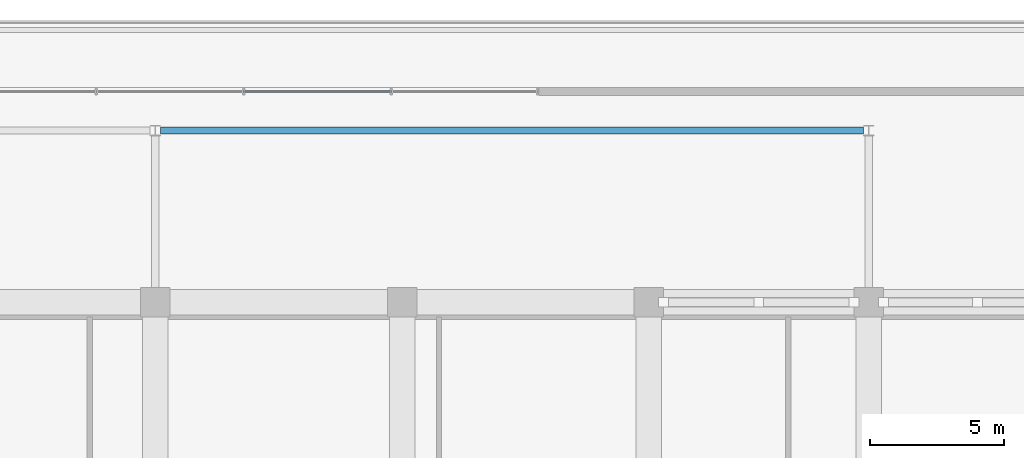
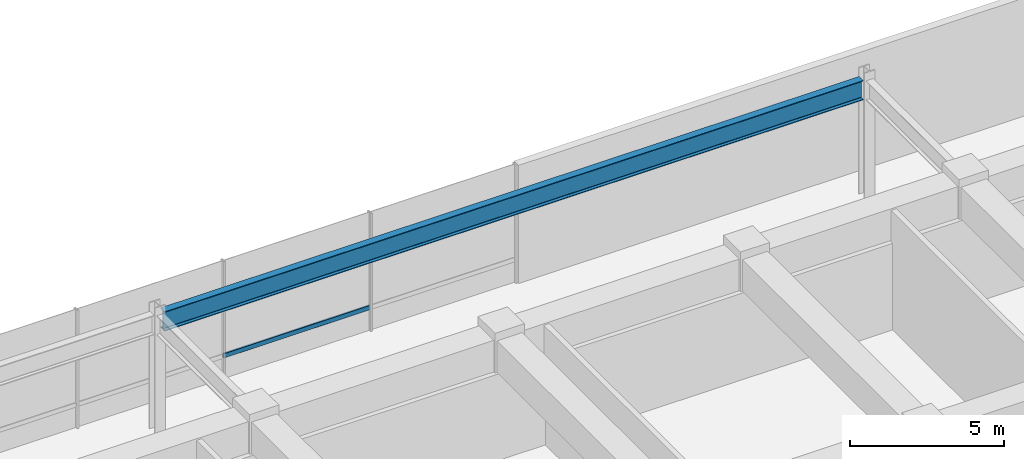
# One storey, part 15 of 38: 1 beam, 1 member, 1 element without a shape of its own.
"""IFC4 building model written with IfcOpenShell, lengths in metres."""

from ifc_helpers import new_model, si_unit, direction, frame, origin, origin_2d, place, context, subcontext, project, spatial, hollow_rectangle, i_section, extrude, material, layer, layer_set, material_profile, profile_set, type_object, element, aggregate, save


model = new_model("IFC4")

# Units and contexts
model_context = context("Model", 3, precision=1e-05, world=origin(), true_north=direction((0.0, 1.0)))
body_context = subcontext(model_context, "Body", "Model", "MODEL_VIEW")
ifc_project = project(units=[si_unit("LENGTHUNIT", "METRE"), si_unit("AREAUNIT", "SQUARE_METRE"), si_unit("VOLUMEUNIT", "CUBIC_METRE"), si_unit("PLANEANGLEUNIT", "RADIAN"), si_unit("MASSUNIT", "GRAM", prefix="KILO")], contexts=[model_context])

# Site, building, storey
site_placement = place(None, origin())
site = spatial("IfcSite", under=ifc_project, at=site_placement, CompositionType="ELEMENT")
building_placement = place(site_placement, origin())
building = spatial("IfcBuilding", under=site, at=building_placement, Name="Korimba Cascade Residences", CompositionType="ELEMENT")
storey_placement = place(building_placement, frame((0.0, 0.0, 19.0)))
storey = spatial("IfcBuildingStorey", under=building, at=storey_placement, Name="L04", CompositionType="ELEMENT", Elevation=19.0)

# Beam
ifc_material_1 = material(Name="Steel S355", Category="steel")
ifc_material_profile_1 = material_profile(ifc_material_1, i_section(OverallWidth=0.26806640625, OverallDepth=0.769775390625, WebThickness=0.015625, FlangeThickness=0.025390625, FilletRadius=0.0166015625, at=origin_2d()), Name="Steel S355")
ifc_profile_set_1 = profile_set([ifc_material_profile_1], Name="Steel S355")
beam_type = type_object("IfcBeamType", Name="BM-STL-UB762", PredefinedType="BEAM", material=ifc_profile_set_1)
beam_placement = place(storey_placement, frame((93.8994140625, 97.60009765625, 4.295166015625), z_axis=(1.0, 0.0, 0.0), x_axis=(0.0, 1.0, 0.0)))
element("IfcBeam", 1, at=beam_placement, inside=storey, type_object=beam_type, Name="L04 Podium Frame Girder NH2", PredefinedType="BEAM", context=body_context, shape_type="SweptSolid", body=[
    extrude(i_section(OverallWidth=0.26806640625, OverallDepth=0.769775390625, WebThickness=0.015625, FlangeThickness=0.025390625, FilletRadius=0.0166015625, at=origin_2d()), origin(), (0.0, 0.0, 1.0), 26.201171875),
])

# Curtain wall, member
ifc_material_2 = material(Name="Anodised Aluminium Curtain Wall Framing", Category="aluminium")
ifc_layer = layer(ifc_material_2, 0.179931640625)
ifc_layer_set = layer_set([ifc_layer], Name="Anodised Aluminium Curtain Wall Framing")
curtain_wall_type = type_object("IfcCurtainWallType", Name="CW-POD-SYS1", PredefinedType="NOTDEFINED", material=ifc_layer_set)
curtain_wall_placement = place(storey_placement, origin())
curtain_wall = element("IfcCurtainWall", 2, at=curtain_wall_placement, inside=storey, type_object=curtain_wall_type, Name="L04 Curtain Wall CW-L04-POD-N", PredefinedType="NOTDEFINED")
ifc_material_3 = material(Name="Anodised Aluminium Transom", Category="aluminium")
ifc_material_profile_2 = material_profile(ifc_material_3, hollow_rectangle(XDim=0.070068359375, YDim=0.179931640625, WallThickness=0.0048828125, InnerFilletRadius=0.0048828125, OuterFilletRadius=0.010009765625, at=origin_2d()), Name="Anodised Aluminium Transom")
ifc_profile_set_2 = profile_set([ifc_material_profile_2], Name="Anodised Aluminium Transom")
member_type = type_object("IfcMemberType", Name="CWM-TRN-150", PredefinedType="USERDEFINED", material=ifc_profile_set_2)
member_placement = place(storey_placement, frame((102.5, 99.050048828125, 0.89990234375), z_axis=(-1.0, 0.0, 0.0), x_axis=(0.0, -1.0, 0.0)))
member = element("IfcMember", 3, at=member_placement, type_object=member_type, Name="CW-L04-POD-N Transom 2", ObjectType="TRANSOM", PredefinedType="USERDEFINED", context=body_context, shape_type="SweptSolid", body=[
    extrude(hollow_rectangle(XDim=0.070068359375, YDim=0.179931640625, WallThickness=0.0048828125, InnerFilletRadius=0.0048828125, OuterFilletRadius=0.010009765625, at=origin_2d()), origin(), (0.0, 0.0, 1.0), 5.5),
])
aggregate(curtain_wall, [member])

save(model, "model.ifc")
